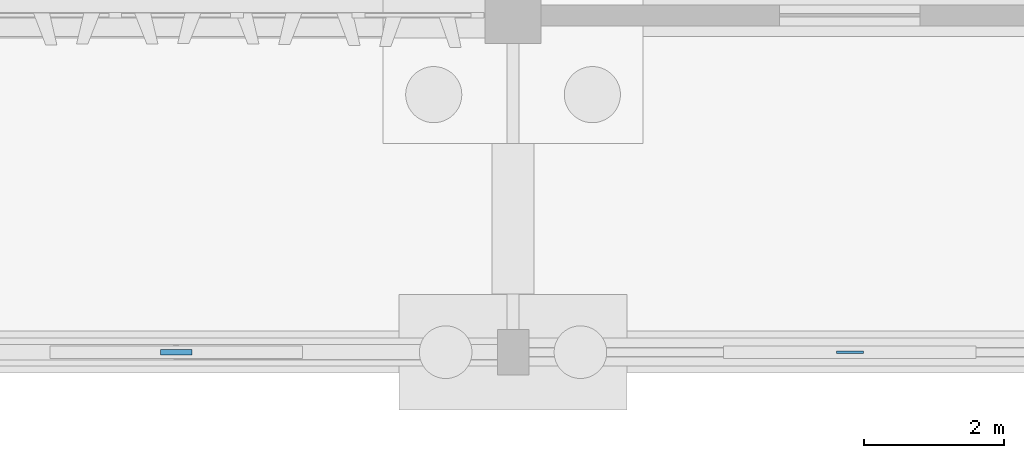
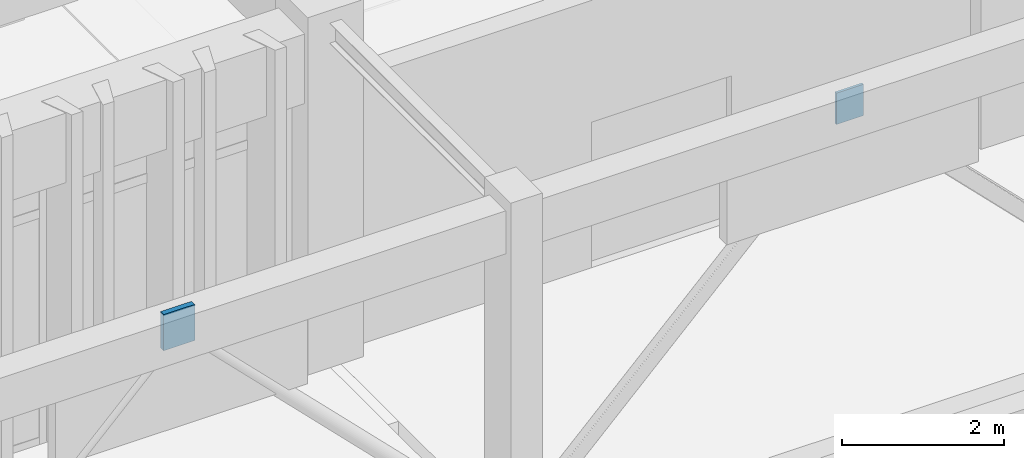
# One storey, part 71 of 102: 2 plates.
"""IFC4 building model written with IfcOpenShell, lengths in metres."""

from ifc_helpers import new_model, si_unit, direction, frame, origin, origin_2d, place, context, subcontext, project, spatial, rectangle, extrude, material, layer, layer_set, type_object, element, save


model = new_model("IFC4")

# Units and contexts
model_context = context("Model", 3, precision=1e-05, world=origin(), true_north=direction((0.0, 1.0)))
body_context = subcontext(model_context, "Body", "Model", "MODEL_VIEW")
ifc_project = project(units=[si_unit("LENGTHUNIT", "METRE"), si_unit("AREAUNIT", "SQUARE_METRE"), si_unit("VOLUMEUNIT", "CUBIC_METRE"), si_unit("PLANEANGLEUNIT", "RADIAN"), si_unit("MASSUNIT", "GRAM", prefix="KILO")], contexts=[model_context])

# Site, building, storey
site_placement = place(None, origin())
site = spatial("IfcSite", under=ifc_project, at=site_placement, CompositionType="ELEMENT")
building_placement = place(site_placement, origin())
building = spatial("IfcBuilding", under=site, at=building_placement, Name="Kolvemor Railside Polytechnic", CompositionType="ELEMENT")
storey_placement = place(building_placement, origin())
storey = spatial("IfcBuildingStorey", under=building, at=storey_placement, Name="L00", CompositionType="ELEMENT", Elevation=0.0)

# Plates
ifc_material_1 = material(Name="Steel S355", Category="steel")
ifc_layer_1 = layer(ifc_material_1, 0.0380859375, Name="PLT-GUSSET-3")
ifc_layer_set_1 = layer_set([ifc_layer_1], Name="Steel S355")
plate_type_1 = type_object("IfcPlateType", Name="PLT-GUSSET-3", PredefinedType="USERDEFINED", material=ifc_layer_set_1)
plate_1_placement = place(storey_placement, frame((139.199951171875, 0.0, 4.712890625), z_axis=(0.0, 0.0, 1.0), x_axis=(1.0, 0.0, 0.0)))
element("IfcPlate", 1, at=plate_1_placement, inside=storey, type_object=plate_type_1, Name="Brace Chevron Gusset Plate GP-BR19", ObjectType="GUSSET PLATE", PredefinedType="USERDEFINED", context=body_context, shape_type="SweptSolid", body=[
    extrude(rectangle(XDim=0.385009765625, YDim=0.0380859375, at=origin_2d()), origin(), (0.0, 0.0, 1.0), 0.47412109375),
])
ifc_material_2 = material(Name="Steel S355", Category="steel")
ifc_layer_2 = layer(ifc_material_2, 0.077880859375, Name="PLT-GUSSET-7")
ifc_layer_set_2 = layer_set([ifc_layer_2], Name="Steel S355")
plate_type_2 = type_object("IfcPlateType", Name="PLT-GUSSET-7", PredefinedType="USERDEFINED", material=ifc_layer_set_2)
plate_2_placement = place(storey_placement, frame((129.60009765625, 0.0, 4.677001953125), z_axis=(0.0, 0.0, 1.0), x_axis=(1.0, 0.0, 0.0)))
element("IfcPlate", 2, at=plate_2_placement, inside=storey, type_object=plate_type_2, Name="Brace Chevron Gusset Plate GP-BR23", ObjectType="GUSSET PLATE", PredefinedType="USERDEFINED", context=body_context, shape_type="SweptSolid", body=[
    extrude(rectangle(XDim=0.445068359375, YDim=0.077880859375, at=origin_2d()), origin(), (0.0, 0.0, 1.0), 0.5458984375),
])

save(model, "model.ifc")
